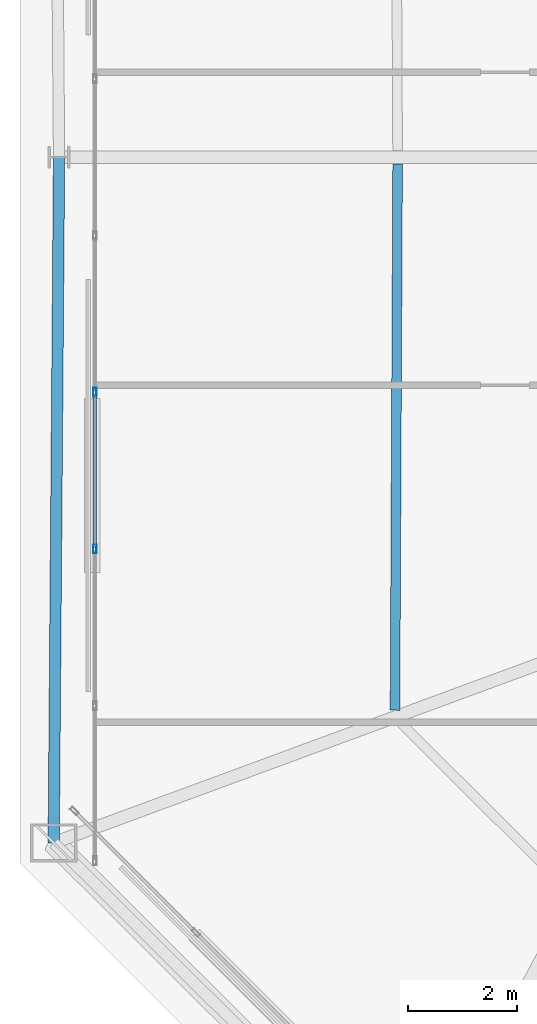
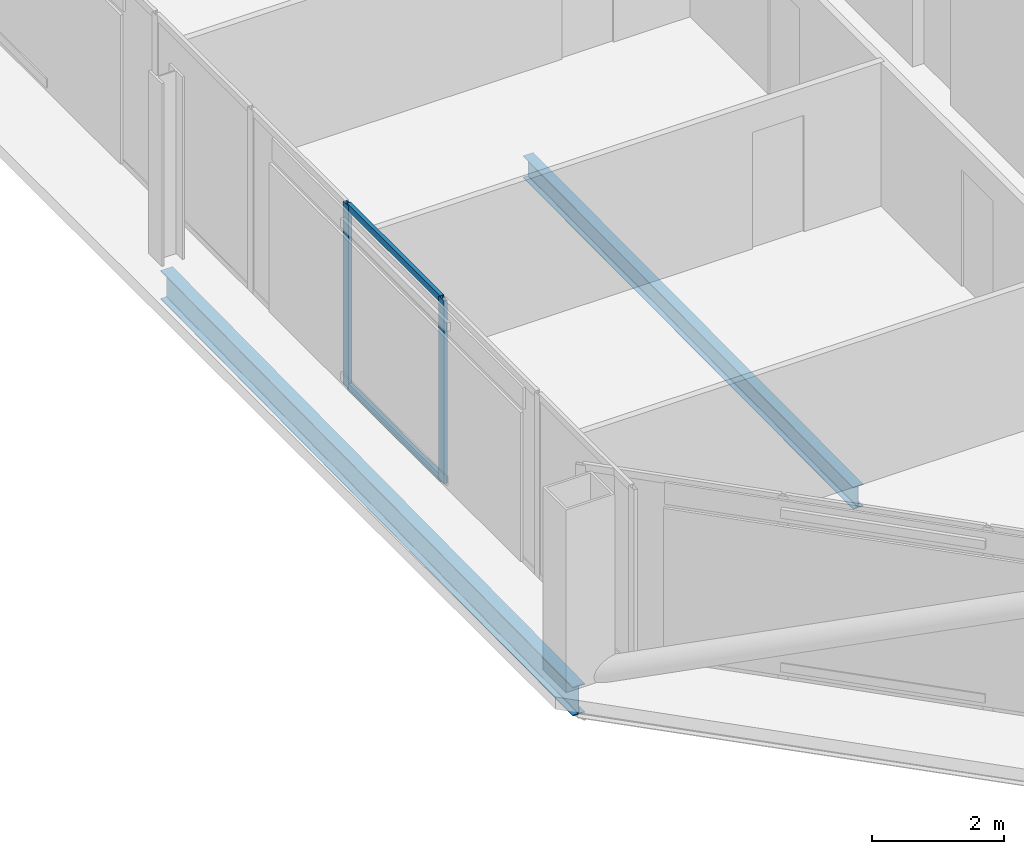
# One storey, part 8 of 39: 4 members, 2 beams, 1 element without a shape of its own.
"""IFC4 building model written with IfcOpenShell, lengths in metres."""

import ifcopenshell
import ifcopenshell.guid

model = None  # the IFC model being written
_history = None  # IfcOwnerHistory: only IFC2X3 demands one
_inside = {}  # id of a spatial element -> (the spatial element, [elements in it])
_under = {}  # id of a project, library or spatial element -> (it, [spatial elements below it])
_declared = {}  # id of a project -> (the project, [libraries it declares])
_typed = {}  # id of a type object -> (the type object, [elements of that type])
_made_of = {}  # id of a material, layer set ... -> (it, [elements and type objects made of it])


def new_model(schema):
    """Start an empty IFC model of exactly this schema.

    Asked for "IFC4X3", IfcOpenShell would pick the latest addendum, in which some entities
    have other attributes; the version numbers below select the first issue.
    IFC2X3 requires an IfcOwnerHistory on every rooted entity: one is made here for all.
    """
    global model, _history
    if schema == "IFC4X3":
        model = ifcopenshell.file(schema_version=(4, 3, 0, 0))
    else:
        model = ifcopenshell.file(schema=schema)
    _inside.clear()
    _under.clear()
    _declared.clear()
    _typed.clear()
    _made_of.clear()
    _history = None
    if model.schema == "IFC2X3":
        org = make("IfcOrganization", Name="unknown")
        user = make(
            "IfcPersonAndOrganization",
            ThePerson=make("IfcPerson", FamilyName="unknown"),
            TheOrganization=org,
        )
        app = make(
            "IfcApplication",
            ApplicationDeveloper=org,
            Version="unknown",
            ApplicationFullName="unknown",
            ApplicationIdentifier="unknown",
        )
        _history = make(
            "IfcOwnerHistory",
            OwningUser=user,
            OwningApplication=app,
            ChangeAction="ADDED",
            CreationDate=0,
        )
    return model


def make(cls, **values):
    """One entity of the class cls with the attributes given. An attribute that is None is left unset."""
    return model.create_entity(
        cls, **{name: value for name, value in values.items() if value is not None}
    )


def rooted(cls, **values):
    """An entity with a GlobalId (a new one), such as an element, a storey or a relation."""
    return make(cls, GlobalId=ifcopenshell.guid.new(), OwnerHistory=_history, **values)


def si_unit(unit_type, name, prefix=None):
    """IfcSIUnit, for example si_unit("LENGTHUNIT", "METRE", prefix="MILLI")."""
    return make("IfcSIUnit", UnitType=unit_type, Prefix=prefix, Name=name)


def assignment(units):
    """IfcUnitAssignment: the units of a project."""
    return None if units is None else make("IfcUnitAssignment", Units=units)


def point(xyz):
    """IfcCartesianPoint."""
    return None if xyz is None else make("IfcCartesianPoint", Coordinates=xyz)


def direction(xyz):
    """IfcDirection."""
    return None if xyz is None else make("IfcDirection", DirectionRatios=xyz)


def frame(location, z_axis=None, x_axis=None):
    """IfcAxis2Placement3D, a coordinate frame: its origin and axes. An axis left out is left unset."""
    return make(
        "IfcAxis2Placement3D",
        Location=point(location),
        Axis=direction(z_axis),
        RefDirection=direction(x_axis),
    )


def frame_2d(location, x_axis=None):
    """IfcAxis2Placement2D, a coordinate frame in the plane: its origin and x axis."""
    return make(
        "IfcAxis2Placement2D", Location=point(location), RefDirection=direction(x_axis)
    )


def origin():
    """The frame at (0, 0, 0) with its axes left unset."""
    return frame((0.0, 0.0, 0.0))


def origin_2d():
    """The frame at (0, 0) in the plane with its x axis left unset."""
    return frame_2d((0.0, 0.0))


def place(relative_to, where):
    """IfcLocalPlacement: puts the frame where relative to a parent placement (None: the world)."""
    return make(
        "IfcLocalPlacement", PlacementRelTo=relative_to, RelativePlacement=where
    )


def context(
    kind, dimensions, precision=None, world=None, true_north=None, identifier=None
):
    """IfcGeometricRepresentationContext, for example the 3D "Model" context."""
    return make(
        "IfcGeometricRepresentationContext",
        ContextIdentifier=identifier,
        ContextType=kind,
        CoordinateSpaceDimension=dimensions,
        Precision=precision,
        WorldCoordinateSystem=world,
        TrueNorth=true_north,
    )


def subcontext(parent, identifier, kind, view, scale=None):
    """IfcGeometricRepresentationSubContext, for example "Body" below "Model"."""
    return make(
        "IfcGeometricRepresentationSubContext",
        ContextIdentifier=identifier,
        ContextType=kind,
        ParentContext=parent,
        TargetScale=scale,
        TargetView=view,
    )


def project(units=None, contexts=None):
    """IfcProject with its units and contexts."""
    return rooted(
        "IfcProject",
        Name="project",
        RepresentationContexts=contexts,
        UnitsInContext=assignment(units),
    )


def spatial(cls, under=None, at=None, **own):
    """A site, building, storey or space (cls), placed at a placement, below another one or the project."""
    s = rooted(cls, ObjectPlacement=at, **own)
    if under is not None:
        _under.setdefault(under.id(), (under, []))[1].append(s)
    return s


def profile(cls, at=None, kind="AREA", **sizes):
    """A parametric profile (cls). Its sizes go by their IFC names, for example OverallWidth=200.0."""
    return make(cls, ProfileType=kind, Position=at, **sizes)


def hollow_rectangle(**sizes):
    """IfcRectangleHollowProfileDef."""
    return profile("IfcRectangleHollowProfileDef", **sizes)


def i_section(**sizes):
    """IfcIShapeProfileDef."""
    return profile("IfcIShapeProfileDef", **sizes)


def extrude(swept, where, along, depth):
    """IfcExtrudedAreaSolid: the profile swept, set in the frame where, extruded along a direction by depth."""
    return make(
        "IfcExtrudedAreaSolid",
        SweptArea=swept,
        Position=where,
        ExtrudedDirection=direction(along),
        Depth=depth,
    )


def shape(context_of_items, identifier, shape_type, items):
    """IfcShapeRepresentation: the items that make up one representation, for example the "Body"."""
    return make(
        "IfcShapeRepresentation",
        ContextOfItems=context_of_items,
        RepresentationIdentifier=identifier,
        RepresentationType=shape_type,
        Items=items,
    )


def material(Name=None, Category=None):
    """IfcMaterial."""
    return make("IfcMaterial", Name=Name, Category=Category)


def layer(
    of_material, thickness, ventilated=None, Name=None, Category=None, Priority=None
):
    """IfcMaterialLayer: one layer of a wall or slab, of a material (None: an air gap)."""
    return make(
        "IfcMaterialLayer",
        Material=of_material,
        LayerThickness=thickness,
        IsVentilated=ventilated,
        Name=Name,
        Category=Category,
        Priority=Priority,
    )


def layer_set(layers, Name=None):
    """IfcMaterialLayerSet."""
    return make("IfcMaterialLayerSet", MaterialLayers=layers, LayerSetName=Name)


def material_profile(
    of_material, cross_section, Name=None, Category=None, Priority=None
):
    """IfcMaterialProfile: a cross section and its material."""
    return make(
        "IfcMaterialProfile",
        Name=Name,
        Material=of_material,
        Profile=cross_section,
        Priority=Priority,
        Category=Category,
    )


def profile_set(profiles, Name=None, composite=None):
    """IfcMaterialProfileSet."""
    return make(
        "IfcMaterialProfileSet",
        Name=Name,
        MaterialProfiles=profiles,
        CompositeProfile=composite,
    )


def made_of(thing, what):
    """Note that an element or type object is made of a material, layer set ...; save() writes the relation."""
    if what is not None:
        _made_of.setdefault(what.id(), (what, []))[1].append(thing)
    return thing


def type_object(cls, material=None, **own):
    """A type object (cls), such as IfcWallType, which elements share."""
    return made_of(rooted(cls, **own), material)


def element(
    cls,
    number,
    at=None,
    inside=None,
    cuts=None,
    type_object=None,
    material=None,
    context=None,
    identifier="Body",
    shape_type=None,
    held_by="IfcProductDefinitionShape",
    body=None,
    shapes=None,
    **own,
):
    """One element of the class cls, such as IfcWall. Its Tag is "e" and its number.

    at: its placement. inside: the storey or other place that contains it. cuts: it is an
    opening in that element (IfcRelVoidsElement). A single representation is given by context,
    identifier, shape_type and body (its items); several are given by shapes. held_by: the class
    of the entity that holds the representations. save() writes the other relations.
    """
    e = rooted(cls, Tag="e%d" % number, ObjectPlacement=at, **own)
    if body is not None:
        shapes = [shape(context, identifier, shape_type, body)]
    if shapes is not None:
        e.Representation = make(held_by, Representations=shapes)
    if inside is not None:
        _inside.setdefault(inside.id(), (inside, []))[1].append(e)
    if cuts is not None:
        rooted(
            "IfcRelVoidsElement", RelatingBuildingElement=cuts, RelatedOpeningElement=e
        )
    if type_object is not None:
        _typed.setdefault(type_object.id(), (type_object, []))[1].append(e)
    return made_of(e, material)


def aggregate(whole, parts):
    """IfcRelAggregates: a whole, such as a stair, and the parts it consists of."""
    return rooted("IfcRelAggregates", RelatingObject=whole, RelatedObjects=parts)


def save(model, path):
    """Write the relations noted so far, then the file.

    IfcRelAggregates (storeys below a building ...), IfcRelContainedInSpatialStructure (elements
    in a storey), IfcRelDefinesByType, IfcRelAssociatesMaterial and IfcRelDeclares: one each for
    every whole, place, type object, material and project.
    """
    for whole, parts in _under.values():
        aggregate(whole, parts)
    for where, things in _inside.values():
        rooted(
            "IfcRelContainedInSpatialStructure",
            RelatedElements=things,
            RelatingStructure=where,
        )
    for kind, things in _typed.values():
        rooted("IfcRelDefinesByType", RelatedObjects=things, RelatingType=kind)
    for what, things in _made_of.values():
        rooted("IfcRelAssociatesMaterial", RelatedObjects=things, RelatingMaterial=what)
    for by, libraries in _declared.values():
        rooted("IfcRelDeclares", RelatingContext=by, RelatedDefinitions=libraries)
    model.write(path)


model = new_model("IFC4")

# Units and contexts
model_context = context("Model", 3, precision=1e-05, world=origin(), true_north=direction((0.0, 1.0)))
body_context = subcontext(model_context, "Body", "Model", "MODEL_VIEW")
ifc_project = project(units=[si_unit("LENGTHUNIT", "METRE"), si_unit("AREAUNIT", "SQUARE_METRE"), si_unit("VOLUMEUNIT", "CUBIC_METRE"), si_unit("PLANEANGLEUNIT", "RADIAN"), si_unit("MASSUNIT", "GRAM", prefix="KILO")], contexts=[model_context])

# Site, building, storey
site_placement = place(None, origin())
site = spatial("IfcSite", under=ifc_project, at=site_placement, CompositionType="ELEMENT")
building_placement = place(site_placement, origin())
building = spatial("IfcBuilding", under=site, at=building_placement, Name="Caelvoria Tower", CompositionType="ELEMENT")
storey_placement = place(building_placement, frame((0.0, 0.0, 198.60009765625)))
storey = spatial("IfcBuildingStorey", under=building, at=storey_placement, Name="L52", CompositionType="ELEMENT", Elevation=198.60009765625)

# Curtain wall, members
ifc_material_1 = material(Name="Anodised Bronze Aluminium and Low-E Glass", Category="aluminium")
ifc_layer = layer(ifc_material_1, 0.175048828125, Name="Anodised Bronze Aluminium and Low-E Glass")
ifc_layer_set = layer_set([ifc_layer], Name="CW System 4 High-Zone Tapered Crystal Facade - Anodised Bronze Aluminium and Low-E Glass")
curtain_wall_type = type_object("IfcCurtainWallType", Name="CW System 4 High-Zone Tapered Crystal Facade", PredefinedType="NOTDEFINED", material=ifc_layer_set)
curtain_wall_placement = place(storey_placement, origin())
curtain_wall = element("IfcCurtainWall", 1, at=curtain_wall_placement, inside=storey, type_object=curtain_wall_type, Name="CW-04 Curtain Wall L52-E6", PredefinedType="NOTDEFINED")
ifc_material_2 = material(Name="Anodised Bronze Architectural Aluminium", Category="aluminium")
ifc_material_profile_1 = material_profile(ifc_material_2, hollow_rectangle(XDim=0.06494140625, YDim=0.159912109375, WallThickness=0.00390625, at=origin_2d()), Name="Anodised Bronze Architectural Aluminium")
ifc_profile_set_1 = profile_set([ifc_material_profile_1], Name="CW_MULL_65X160 - Anodised Bronze Architectural Aluminium")
member_type_1 = type_object("IfcMemberType", Name="Curtain Wall Mullion 65x160 Bronze Aluminium", PredefinedType="MULLION", material=ifc_profile_set_1)
member_1_placement = place(storey_placement, frame((25.179931640625, 27.666748046875, 0.0), z_axis=(0.0, 0.0, 1.0), x_axis=(1.0, 0.0, 0.0)))
member_1 = element("IfcMember", 2, at=member_1_placement, type_object=member_type_1, Name="CW-04 mullion 7", PredefinedType="MULLION", context=body_context, shape_type="SweptSolid", body=[
    extrude(hollow_rectangle(XDim=0.06494140625, YDim=0.159912109375, WallThickness=0.00390625, at=origin_2d()), origin(), (0.0, 0.0, 1.0), 3.375),
])
member_2_placement = place(storey_placement, frame((25.179931640625, 24.77783203125, 0.0), z_axis=(0.0, 0.0, 1.0), x_axis=(1.0, 0.0, 0.0)))
member_2 = element("IfcMember", 3, at=member_2_placement, type_object=member_type_1, Name="CW-04 mullion 8", PredefinedType="MULLION", context=body_context, shape_type="SweptSolid", body=[
    extrude(hollow_rectangle(XDim=0.06494140625, YDim=0.159912109375, WallThickness=0.00390625, at=origin_2d()), origin(), (0.0, 0.0, 1.0), 3.375),
])
ifc_material_profile_2 = material_profile(ifc_material_2, hollow_rectangle(XDim=0.06494140625, YDim=0.1298828125, WallThickness=0.00341796875, at=origin_2d()), Name="Anodised Bronze Architectural Aluminium")
ifc_profile_set_2 = profile_set([ifc_material_profile_2], Name="CW_TRAN_65X130 - Anodised Bronze Architectural Aluminium")
member_type_2 = type_object("IfcMemberType", Name="Curtain Wall Transom 65x130 Bronze Aluminium", PredefinedType="USERDEFINED", material=ifc_profile_set_2)
member_3_placement = place(storey_placement, frame((25.179931640625, 27.63427734375, 0.032470703125), z_axis=(0.0, -1.0, 0.0), x_axis=(1.0, 0.0, 0.0)))
member_3 = element("IfcMember", 4, at=member_3_placement, type_object=member_type_2, Name="CW-04 transom 7.1", ObjectType="TRANSOM", PredefinedType="USERDEFINED", context=body_context, shape_type="SweptSolid", body=[
    extrude(hollow_rectangle(XDim=0.06494140625, YDim=0.1298828125, WallThickness=0.00341796875, at=origin_2d()), origin(), (0.0, 0.0, 1.0), 2.823974609375),
])
member_4_placement = place(storey_placement, frame((25.179931640625, 27.63427734375, 3.34228515625), z_axis=(0.0, -1.0, 0.0), x_axis=(1.0, 0.0, 0.0)))
member_4 = element("IfcMember", 5, at=member_4_placement, type_object=member_type_2, Name="CW-04 transom 7.2", ObjectType="TRANSOM", PredefinedType="USERDEFINED", context=body_context, shape_type="SweptSolid", body=[
    extrude(hollow_rectangle(XDim=0.06494140625, YDim=0.1298828125, WallThickness=0.00341796875, at=origin_2d()), origin(), (0.0, 0.0, 1.0), 2.823974609375),
])
aggregate(curtain_wall, [member_1, member_2, member_3, member_4])

# Beams
ifc_material_3 = material(Name="Structural Steel ASTM A992 Gr.50", Category="steel")
ifc_material_profile_3 = material_profile(ifc_material_3, i_section(OverallWidth=0.177978515625, OverallDepth=0.406982421875, WebThickness=0.0078125, FlangeThickness=0.0126953125, FilletRadius=0.013916015625, at=origin_2d()), Name="Structural Steel ASTM A992 Gr.50")
ifc_profile_set_3 = profile_set([ifc_material_profile_3], Name="W410X60 - Structural Steel ASTM A992 Gr.50")
beam_type_1 = type_object("IfcBeamType", Name="Secondary Floor Beam W410X60", PredefinedType="BEAM", material=ifc_profile_set_3)
beam_1_placement = place(storey_placement, frame((30.759521484375, 31.875, -0.4287109375), z_axis=(-0.004801225002, -0.999988474053, 0.0), x_axis=(0.999988474053, -0.004801225002, 0.0)))
element("IfcBeam", 6, at=beam_1_placement, inside=storey, type_object=beam_type_1, Name="Secondary Floor Beam L52-10", PredefinedType="BEAM", context=body_context, shape_type="SweptSolid", body=[
    extrude(i_section(OverallWidth=0.177978515625, OverallDepth=0.406982421875, WebThickness=0.0078125, FlangeThickness=0.0126953125, FilletRadius=0.013916015625, at=origin_2d()), origin(), (0.0, 0.0, 1.0), 10.068115234375),
])
ifc_material_profile_4 = material_profile(ifc_material_3, i_section(OverallWidth=0.208984375, OverallDepth=0.532958984375, WebThickness=0.01025390625, FlangeThickness=0.015625, FilletRadius=0.01611328125, at=origin_2d()), Name="Structural Steel ASTM A992 Gr.50")
ifc_profile_set_4 = profile_set([ifc_material_profile_4], Name="W530X92 - Structural Steel ASTM A992 Gr.50")
beam_type_2 = type_object("IfcBeamType", Name="Upper Zone Spandrel W530X92", PredefinedType="BEAM", material=ifc_profile_set_4)
beam_2_placement = place(storey_placement, frame((24.52001953125, 32.0, -0.49169921875), z_axis=(-0.007805318856, -0.999969538035, 0.0), x_axis=(0.999969538035, -0.007805318856, 0.0)))
element("IfcBeam", 7, at=beam_2_placement, inside=storey, type_object=beam_type_2, Name="Perimeter Spandrel Girder L52-10", PredefinedType="BEAM", context=body_context, shape_type="SweptSolid", body=[
    extrude(i_section(OverallWidth=0.208984375, OverallDepth=0.532958984375, WebThickness=0.01025390625, FlangeThickness=0.015625, FilletRadius=0.01611328125, at=origin_2d()), origin(), (0.0, 0.0, 1.0), 12.63671875),
])

save(model, "model.ifc")
